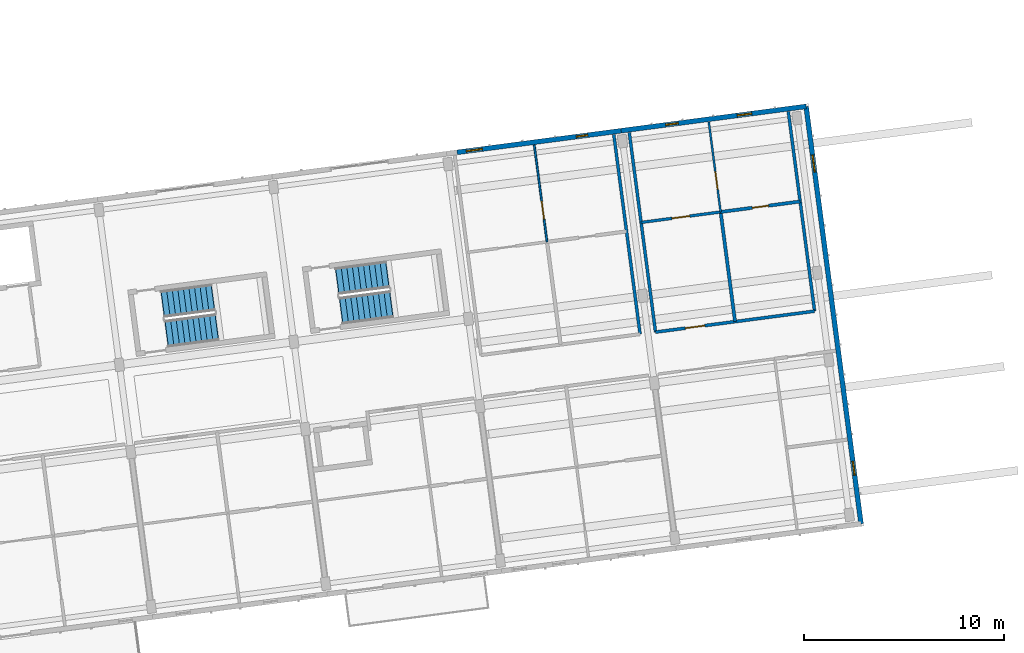
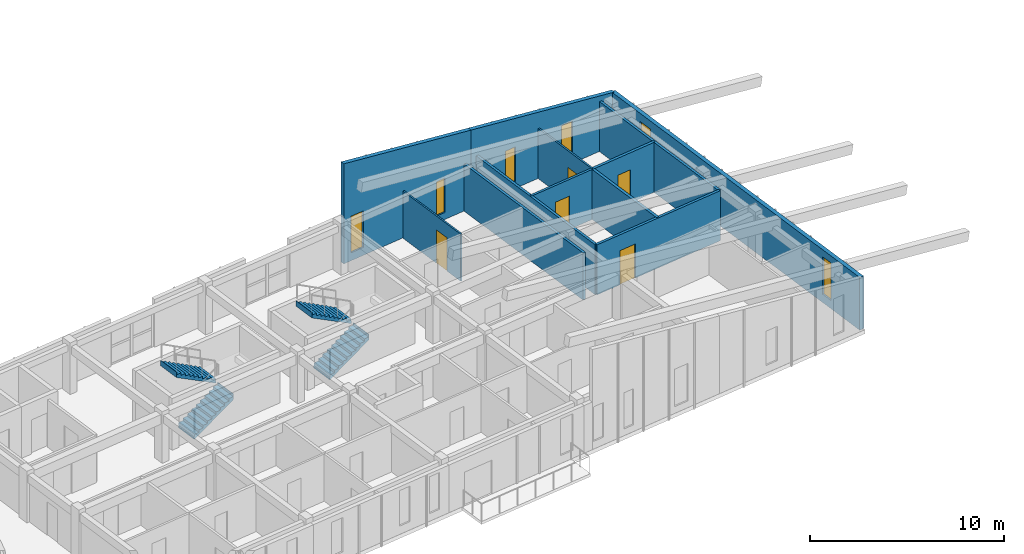
# One storey, part 9 of 16: 12 walls, 6 windows, 5 doors, 4 stair flights, 11 openings, 2 elements without a shape of their own.
"""IFC4 building model written with IfcOpenShell, lengths in metres."""

import ifcopenshell
import ifcopenshell.guid

model = None  # the IFC model being written
_history = None  # IfcOwnerHistory: only IFC2X3 demands one
_inside = {}  # id of a spatial element -> (the spatial element, [elements in it])
_under = {}  # id of a project, library or spatial element -> (it, [spatial elements below it])
_declared = {}  # id of a project -> (the project, [libraries it declares])
_typed = {}  # id of a type object -> (the type object, [elements of that type])
_made_of = {}  # id of a material, layer set ... -> (it, [elements and type objects made of it])


def new_model(schema):
    """Start an empty IFC model of exactly this schema.

    Asked for "IFC4X3", IfcOpenShell would pick the latest addendum, in which some entities
    have other attributes; the version numbers below select the first issue.
    IFC2X3 requires an IfcOwnerHistory on every rooted entity: one is made here for all.
    """
    global model, _history
    if schema == "IFC4X3":
        model = ifcopenshell.file(schema_version=(4, 3, 0, 0))
    else:
        model = ifcopenshell.file(schema=schema)
    _inside.clear()
    _under.clear()
    _declared.clear()
    _typed.clear()
    _made_of.clear()
    _history = None
    if model.schema == "IFC2X3":
        org = make("IfcOrganization", Name="unknown")
        user = make(
            "IfcPersonAndOrganization",
            ThePerson=make("IfcPerson", FamilyName="unknown"),
            TheOrganization=org,
        )
        app = make(
            "IfcApplication",
            ApplicationDeveloper=org,
            Version="unknown",
            ApplicationFullName="unknown",
            ApplicationIdentifier="unknown",
        )
        _history = make(
            "IfcOwnerHistory",
            OwningUser=user,
            OwningApplication=app,
            ChangeAction="ADDED",
            CreationDate=0,
        )
    return model


def make(cls, **values):
    """One entity of the class cls with the attributes given. An attribute that is None is left unset."""
    return model.create_entity(
        cls, **{name: value for name, value in values.items() if value is not None}
    )


def rooted(cls, **values):
    """An entity with a GlobalId (a new one), such as an element, a storey or a relation."""
    return make(cls, GlobalId=ifcopenshell.guid.new(), OwnerHistory=_history, **values)


def si_unit(unit_type, name, prefix=None):
    """IfcSIUnit, for example si_unit("LENGTHUNIT", "METRE", prefix="MILLI")."""
    return make("IfcSIUnit", UnitType=unit_type, Prefix=prefix, Name=name)


def assignment(units):
    """IfcUnitAssignment: the units of a project."""
    return None if units is None else make("IfcUnitAssignment", Units=units)


def point(xyz):
    """IfcCartesianPoint."""
    return None if xyz is None else make("IfcCartesianPoint", Coordinates=xyz)


def direction(xyz):
    """IfcDirection."""
    return None if xyz is None else make("IfcDirection", DirectionRatios=xyz)


def frame(location, z_axis=None, x_axis=None):
    """IfcAxis2Placement3D, a coordinate frame: its origin and axes. An axis left out is left unset."""
    return make(
        "IfcAxis2Placement3D",
        Location=point(location),
        Axis=direction(z_axis),
        RefDirection=direction(x_axis),
    )


def frame_2d(location, x_axis=None):
    """IfcAxis2Placement2D, a coordinate frame in the plane: its origin and x axis."""
    return make(
        "IfcAxis2Placement2D", Location=point(location), RefDirection=direction(x_axis)
    )


def origin():
    """The frame at (0, 0, 0) with its axes left unset."""
    return frame((0.0, 0.0, 0.0))


def place(relative_to, where):
    """IfcLocalPlacement: puts the frame where relative to a parent placement (None: the world)."""
    return make(
        "IfcLocalPlacement", PlacementRelTo=relative_to, RelativePlacement=where
    )


def context(
    kind, dimensions, precision=None, world=None, true_north=None, identifier=None
):
    """IfcGeometricRepresentationContext, for example the 3D "Model" context."""
    return make(
        "IfcGeometricRepresentationContext",
        ContextIdentifier=identifier,
        ContextType=kind,
        CoordinateSpaceDimension=dimensions,
        Precision=precision,
        WorldCoordinateSystem=world,
        TrueNorth=true_north,
    )


def subcontext(parent, identifier, kind, view, scale=None):
    """IfcGeometricRepresentationSubContext, for example "Body" below "Model"."""
    return make(
        "IfcGeometricRepresentationSubContext",
        ContextIdentifier=identifier,
        ContextType=kind,
        ParentContext=parent,
        TargetScale=scale,
        TargetView=view,
    )


def project(units=None, contexts=None):
    """IfcProject with its units and contexts."""
    return rooted(
        "IfcProject",
        Name="project",
        RepresentationContexts=contexts,
        UnitsInContext=assignment(units),
    )


def spatial(cls, under=None, at=None, **own):
    """A site, building, storey or space (cls), placed at a placement, below another one or the project."""
    s = rooted(cls, ObjectPlacement=at, **own)
    if under is not None:
        _under.setdefault(under.id(), (under, []))[1].append(s)
    return s


def polyline(points):
    """IfcPolyline through the points."""
    return make("IfcPolyline", Points=[point(p) for p in points])


def profile(cls, at=None, kind="AREA", **sizes):
    """A parametric profile (cls). Its sizes go by their IFC names, for example OverallWidth=200.0."""
    return make(cls, ProfileType=kind, Position=at, **sizes)


def rectangle(**sizes):
    """IfcRectangleProfileDef."""
    return profile("IfcRectangleProfileDef", **sizes)


def outline(outer, holes=None, kind="AREA"):
    """IfcArbitraryClosedProfileDef: a profile drawn as a closed curve; with holes, ...WithVoids."""
    if holes is None:
        return make("IfcArbitraryClosedProfileDef", ProfileType=kind, OuterCurve=outer)
    return make(
        "IfcArbitraryProfileDefWithVoids",
        ProfileType=kind,
        OuterCurve=outer,
        InnerCurves=holes,
    )


def extrude(swept, where, along, depth):
    """IfcExtrudedAreaSolid: the profile swept, set in the frame where, extruded along a direction by depth."""
    return make(
        "IfcExtrudedAreaSolid",
        SweptArea=swept,
        Position=where,
        ExtrudedDirection=direction(along),
        Depth=depth,
    )


def shape(context_of_items, identifier, shape_type, items):
    """IfcShapeRepresentation: the items that make up one representation, for example the "Body"."""
    return make(
        "IfcShapeRepresentation",
        ContextOfItems=context_of_items,
        RepresentationIdentifier=identifier,
        RepresentationType=shape_type,
        Items=items,
    )


def material(Name=None, Category=None):
    """IfcMaterial."""
    return make("IfcMaterial", Name=Name, Category=Category)


def layer(
    of_material, thickness, ventilated=None, Name=None, Category=None, Priority=None
):
    """IfcMaterialLayer: one layer of a wall or slab, of a material (None: an air gap)."""
    return make(
        "IfcMaterialLayer",
        Material=of_material,
        LayerThickness=thickness,
        IsVentilated=ventilated,
        Name=Name,
        Category=Category,
        Priority=Priority,
    )


def layer_set(layers, Name=None):
    """IfcMaterialLayerSet."""
    return make("IfcMaterialLayerSet", MaterialLayers=layers, LayerSetName=Name)


def made_of(thing, what):
    """Note that an element or type object is made of a material, layer set ...; save() writes the relation."""
    if what is not None:
        _made_of.setdefault(what.id(), (what, []))[1].append(thing)
    return thing


def type_object(cls, material=None, **own):
    """A type object (cls), such as IfcWallType, which elements share."""
    return made_of(rooted(cls, **own), material)


def element(
    cls,
    number,
    at=None,
    inside=None,
    cuts=None,
    type_object=None,
    material=None,
    context=None,
    identifier="Body",
    shape_type=None,
    held_by="IfcProductDefinitionShape",
    body=None,
    shapes=None,
    **own,
):
    """One element of the class cls, such as IfcWall. Its Tag is "e" and its number.

    at: its placement. inside: the storey or other place that contains it. cuts: it is an
    opening in that element (IfcRelVoidsElement). A single representation is given by context,
    identifier, shape_type and body (its items); several are given by shapes. held_by: the class
    of the entity that holds the representations. save() writes the other relations.
    """
    e = rooted(cls, Tag="e%d" % number, ObjectPlacement=at, **own)
    if body is not None:
        shapes = [shape(context, identifier, shape_type, body)]
    if shapes is not None:
        e.Representation = make(held_by, Representations=shapes)
    if inside is not None:
        _inside.setdefault(inside.id(), (inside, []))[1].append(e)
    if cuts is not None:
        rooted(
            "IfcRelVoidsElement", RelatingBuildingElement=cuts, RelatedOpeningElement=e
        )
    if type_object is not None:
        _typed.setdefault(type_object.id(), (type_object, []))[1].append(e)
    return made_of(e, material)


def fill(opening, filler):
    """IfcRelFillsElement: the door or window that sits in an opening."""
    return rooted(
        "IfcRelFillsElement",
        RelatingOpeningElement=opening,
        RelatedBuildingElement=filler,
    )


def aggregate(whole, parts):
    """IfcRelAggregates: a whole, such as a stair, and the parts it consists of."""
    return rooted("IfcRelAggregates", RelatingObject=whole, RelatedObjects=parts)


def save(model, path):
    """Write the relations noted so far, then the file.

    IfcRelAggregates (storeys below a building ...), IfcRelContainedInSpatialStructure (elements
    in a storey), IfcRelDefinesByType, IfcRelAssociatesMaterial and IfcRelDeclares: one each for
    every whole, place, type object, material and project.
    """
    for whole, parts in _under.values():
        aggregate(whole, parts)
    for where, things in _inside.values():
        rooted(
            "IfcRelContainedInSpatialStructure",
            RelatedElements=things,
            RelatingStructure=where,
        )
    for kind, things in _typed.values():
        rooted("IfcRelDefinesByType", RelatedObjects=things, RelatingType=kind)
    for what, things in _made_of.values():
        rooted("IfcRelAssociatesMaterial", RelatedObjects=things, RelatingMaterial=what)
    for by, libraries in _declared.values():
        rooted("IfcRelDeclares", RelatingContext=by, RelatedDefinitions=libraries)
    model.write(path)


model = new_model("IFC4")

# Units and contexts
model_context = context("Model", 3, precision=1e-05, world=origin(), true_north=direction((0.0, 1.0)))
body_context = subcontext(model_context, "Body", "Model", "MODEL_VIEW")
ifc_project = project(units=[si_unit("LENGTHUNIT", "METRE"), si_unit("AREAUNIT", "SQUARE_METRE"), si_unit("VOLUMEUNIT", "CUBIC_METRE"), si_unit("PLANEANGLEUNIT", "RADIAN"), si_unit("MASSUNIT", "GRAM", prefix="KILO")], contexts=[model_context])

# Site, building, storey
site_placement = place(None, origin())
site = spatial("IfcSite", under=ifc_project, at=site_placement, CompositionType="ELEMENT")
building_placement = place(site_placement, origin())
building = spatial("IfcBuilding", under=site, at=building_placement, Name="Kestramere Prow Commons", CompositionType="ELEMENT")
storey_placement = place(building_placement, frame((0.0, 0.0, 40.89990234375)))
storey = spatial("IfcBuildingStorey", under=building, at=storey_placement, Name="L12", CompositionType="ELEMENT", Elevation=40.89990234375)

# Wall, openings, windows
ifc_material_1 = material(Name="Fluoropolymer Standing-Seam Zinc-Aluminium Cladding", Category="aluminium")
ifc_layer_1 = layer(ifc_material_1, 0.239990234375)
ifc_layer_set_1 = layer_set([ifc_layer_1], Name="Fluoropolymer Standing-Seam Zinc-Aluminium Cladding")
wall_type_1 = type_object("IfcWallType", Name="EW-SEAM-240", PredefinedType="SOLIDWALL", material=ifc_layer_set_1)
wall_1_placement = place(storey_placement, frame((35.215576171875, 95.86376953125, 0.0), z_axis=(0.0, 0.0, 1.0), x_axis=(0.991445556921, 0.130520908907, 0.0)))
wall_1 = element("IfcWall", 1, at=wall_1_placement, inside=storey, type_object=wall_type_1, Name="Block A L12 North Standing-Seam Wall 4", PredefinedType="SOLIDWALL", context=body_context, shape_type="SweptSolid", body=[
    extrude(outline(polyline([(0.0, 0.0), (8.275146484375, 0.0), (8.27490234375, 4.900634765625), (0.0, 6.301025390625), (0.0, 0.0)])), frame((0.0, 0.1201171875, 0.0), z_axis=(0.0, -1.0, 0.0), x_axis=(1.0, 0.0, 0.0)), (0.0, 0.0, 1.0), 0.239990234375),
])
opening_1_placement = place(wall_1_placement, frame((0.4638671875, 0.0, 0.5)))
opening_1 = element("IfcOpeningElement", 2, at=opening_1_placement, cuts=wall_1, Name="Opening WN-12", PredefinedType="OPENING", context=body_context, shape_type="SweptSolid", body=[
    extrude(rectangle(XDim=0.800048828125, YDim=2.300048828125, at=frame_2d((0.39990234375, 1.14990234375))), frame((0.0, 0.135009765625, 0.0), z_axis=(0.0, -1.0, 0.0), x_axis=(1.0, 0.0, 0.0)), (0.0, 0.0, 1.0), 0.27001953125),
])
opening_2_placement = place(wall_1_placement, frame((6.012939453125, 0.0, 0.43994140625)))
opening_2 = element("IfcOpeningElement", 3, at=opening_2_placement, cuts=wall_1, Name="Opening WN-01", PredefinedType="OPENING", context=body_context, shape_type="SweptSolid", body=[
    extrude(rectangle(XDim=0.580078125, YDim=2.159912109375, at=frame_2d((0.2900390625, 1.080078125))), frame((0.0, 0.135009765625, 0.0), z_axis=(0.0, -1.0, 0.0), x_axis=(1.0, 0.0, 0.0)), (0.0, 0.0, 1.0), 0.27001953125),
])
ifc_material_2 = material(Name="Low-E Laminated Double Glazing", Category="glass")
window_type_1 = type_object("IfcWindowType", Name="WN-NAR-580A", PartitioningType="SINGLE_PANEL", PredefinedType="WINDOW", material=ifc_material_2)
window_1_placement = place(opening_2_placement, origin())
window_1 = element("IfcWindow", 4, at=window_1_placement, inside=storey, type_object=window_type_1, Name="WN-A-L12-N-3-1", OverallHeight=2.159912109375, OverallWidth=0.580078125, PartitioningType="SINGLE_PANEL", PredefinedType="WINDOW", context=body_context, shape_type="SweptSolid", body=[
    extrude(rectangle(XDim=0.580078125, YDim=2.159912109375, at=frame_2d((0.2900390625, 1.080078125))), frame((0.0, 0.030029296875, 0.0), z_axis=(0.0, -1.0, 0.0), x_axis=(1.0, 0.0, 0.0)), (0.0, 0.0, 1.0), 0.06005859375),
])
fill(opening_2, window_1)
window_type_2 = type_object("IfcWindowType", Name="WN-NAR-800A", PartitioningType="SINGLE_PANEL", PredefinedType="WINDOW", material=ifc_material_2)
window_2_placement = place(opening_1_placement, origin())
window_2 = element("IfcWindow", 5, at=window_2_placement, inside=storey, type_object=window_type_2, Name="WN-A-L12-N-3-0", OverallHeight=2.300048828125, OverallWidth=0.800048828125, PartitioningType="SINGLE_PANEL", PredefinedType="WINDOW", context=body_context, shape_type="SweptSolid", body=[
    extrude(rectangle(XDim=0.800048828125, YDim=2.300048828125, at=frame_2d((0.39990234375, 1.14990234375))), frame((0.0, 0.030029296875, 0.0), z_axis=(0.0, -1.0, 0.0), x_axis=(1.0, 0.0, 0.0)), (0.0, 0.0, 1.0), 0.06005859375),
])
fill(opening_1, window_2)

wall_2_placement = place(storey_placement, frame((43.419921875, 96.94384765625, 0.0), z_axis=(0.0, 0.0, 1.0), x_axis=(0.991442885224, 0.130541201693, 0.0)))
wall_2 = element("IfcWall", 6, at=wall_2_placement, inside=storey, type_object=wall_type_1, Name="Block A L12 North Standing-Seam Wall 5", PredefinedType="SOLIDWALL", context=body_context, shape_type="SweptSolid", body=[
    extrude(outline(polyline([(0.0, 0.0), (9.324951171875, 0.0), (9.324951171875, 3.322509765625), (0.0, 4.900634765625), (0.0, 0.0)])), frame((0.0, 0.1201171875, 0.0), z_axis=(0.0, -1.0, 0.0), x_axis=(1.0, 0.0, 0.0)), (0.0, 0.0, 1.0), 0.239990234375),
])
opening_3_placement = place(wall_2_placement, frame((2.2412109375, 0.0, 0.43994140625)))
opening_3 = element("IfcOpeningElement", 7, at=opening_3_placement, cuts=wall_2, Name="Opening WN-04", PredefinedType="OPENING", context=body_context, shape_type="SweptSolid", body=[
    extrude(rectangle(XDim=0.639892578125, YDim=2.179931640625, at=frame_2d((0.31982421875, 1.08984375))), frame((0.0, 0.135009765625, 0.0), z_axis=(0.0, -1.0, 0.0), x_axis=(1.0, 0.0, 0.0)), (0.0, 0.0, 1.0), 0.27001953125),
])
opening_4_placement = place(wall_2_placement, frame((5.86083984375, 0.0, 0.5)))
opening_4 = element("IfcOpeningElement", 8, at=opening_4_placement, cuts=wall_2, Name="Opening WN-08", PredefinedType="OPENING", context=body_context, shape_type="SweptSolid", body=[
    extrude(rectangle(XDim=0.719970703125, YDim=2.159912109375, at=frame_2d((0.35986328125, 1.080078125))), frame((0.0, 0.135009765625, 0.0), z_axis=(0.0, -1.0, 0.0), x_axis=(1.0, 0.0, 0.0)), (0.0, 0.0, 1.0), 0.27001953125),
])
window_type_3 = type_object("IfcWindowType", Name="WN-NAR-640A", PartitioningType="SINGLE_PANEL", PredefinedType="WINDOW", material=ifc_material_2)
window_3_placement = place(opening_3_placement, origin())
window_3 = element("IfcWindow", 9, at=window_3_placement, inside=storey, type_object=window_type_3, Name="WN-A-L12-N-4-0", OverallHeight=2.179931640625, OverallWidth=0.639892578125, PartitioningType="SINGLE_PANEL", PredefinedType="WINDOW", context=body_context, shape_type="SweptSolid", body=[
    extrude(rectangle(XDim=0.639892578125, YDim=2.179931640625, at=frame_2d((0.31982421875, 1.08984375))), frame((0.0, 0.030029296875, 0.0), z_axis=(0.0, -1.0, 0.0), x_axis=(1.0, 0.0, 0.0)), (0.0, 0.0, 1.0), 0.06005859375),
])
fill(opening_3, window_3)
window_type_4 = type_object("IfcWindowType", Name="WN-NAR-720A", PartitioningType="SINGLE_PANEL", PredefinedType="WINDOW", material=ifc_material_2)
window_4_placement = place(opening_4_placement, origin())
window_4 = element("IfcWindow", 10, at=window_4_placement, inside=storey, type_object=window_type_4, Name="WN-A-L12-N-4-1", OverallHeight=2.159912109375, OverallWidth=0.719970703125, PartitioningType="SINGLE_PANEL", PredefinedType="WINDOW", context=body_context, shape_type="SweptSolid", body=[
    extrude(rectangle(XDim=0.719970703125, YDim=2.159912109375, at=frame_2d((0.35986328125, 1.080078125))), frame((0.0, 0.030029296875, 0.0), z_axis=(0.0, -1.0, 0.0), x_axis=(1.0, 0.0, 0.0)), (0.0, 0.0, 1.0), 0.06005859375),
])
fill(opening_4, window_4)

wall_3_placement = place(storey_placement, frame((52.6650390625, 98.1611328125, 0.0), z_axis=(0.0, 0.0, 1.0), x_axis=(0.130525617048, -0.991444937097, 0.0)))
wall_3 = element("IfcWall", 11, at=wall_3_placement, inside=storey, type_object=wall_type_1, Name="Block A L12 EAV Facet Wall", PredefinedType="SOLIDWALL", context=body_context, shape_type="SweptSolid", body=[
    extrude(rectangle(XDim=21.050048828125, YDim=0.239990234375, at=frame_2d((10.52490234375, 0.0))), origin(), (0.0, 0.0, 1.0), 3.322509765625),
])
opening_5_placement = place(wall_3_placement, frame((2.449951171875, 0.0, 0.449951171875)))
opening_5 = element("IfcOpeningElement", 12, at=opening_5_placement, cuts=wall_3, Name="Opening WN-15", PredefinedType="OPENING", context=body_context, shape_type="SweptSolid", body=[
    extrude(rectangle(XDim=0.860107421875, YDim=2.360107421875, at=frame_2d((0.43017578125, 1.18017578125))), frame((0.0, 0.135009765625, 0.0), z_axis=(0.0, -1.0, 0.0), x_axis=(1.0, 0.0, 0.0)), (0.0, 0.0, 1.0), 0.27001953125),
])
opening_6_placement = place(wall_3_placement, frame((17.89990234375, 0.0, 0.52001953125)))
opening_6 = element("IfcOpeningElement", 13, at=opening_6_placement, cuts=wall_3, Name="Opening WN-07", PredefinedType="OPENING", context=body_context, shape_type="SweptSolid", body=[
    extrude(rectangle(XDim=0.699951171875, YDim=2.360107421875, at=frame_2d((0.35009765625, 1.18017578125))), frame((0.0, 0.135009765625, 0.0), z_axis=(0.0, -1.0, 0.0), x_axis=(1.0, 0.0, 0.0)), (0.0, 0.0, 1.0), 0.27001953125),
])
window_type_5 = type_object("IfcWindowType", Name="WN-NAR-700A", PartitioningType="SINGLE_PANEL", PredefinedType="WINDOW", material=ifc_material_2)
window_5_placement = place(opening_6_placement, origin())
window_5 = element("IfcWindow", 14, at=window_5_placement, inside=storey, type_object=window_type_5, Name="WN-A-L12-EAV-1", OverallHeight=2.360107421875, OverallWidth=0.699951171875, PartitioningType="SINGLE_PANEL", PredefinedType="WINDOW", context=body_context, shape_type="SweptSolid", body=[
    extrude(rectangle(XDim=0.699951171875, YDim=2.360107421875, at=frame_2d((0.35009765625, 1.18017578125))), frame((0.0, 0.030029296875, 0.0), z_axis=(0.0, -1.0, 0.0), x_axis=(1.0, 0.0, 0.0)), (0.0, 0.0, 1.0), 0.06005859375),
])
fill(opening_6, window_5)
window_type_6 = type_object("IfcWindowType", Name="WN-NAR-860A", PartitioningType="DOUBLE_PANEL_VERTICAL", PredefinedType="WINDOW", material=ifc_material_2)
window_6_placement = place(opening_5_placement, origin())
window_6 = element("IfcWindow", 15, at=window_6_placement, inside=storey, type_object=window_type_6, Name="WN-A-L12-EAV-0", OverallHeight=2.360107421875, OverallWidth=0.860107421875, PartitioningType="SINGLE_PANEL", PredefinedType="WINDOW", context=body_context, shape_type="SweptSolid", body=[
    extrude(rectangle(XDim=0.860107421875, YDim=2.360107421875, at=frame_2d((0.43017578125, 1.18017578125))), frame((0.0, 0.030029296875, 0.0), z_axis=(0.0, -1.0, 0.0), x_axis=(1.0, 0.0, 0.0)), (0.0, 0.0, 1.0), 0.06005859375),
])
fill(opening_5, window_6)

# Wall, opening, door
ifc_material_3 = material(Name="Fire-Rated Calcium Silicate Wall")
ifc_layer_2 = layer(ifc_material_3, 0.155029296875)
ifc_layer_set_2 = layer_set([ifc_layer_2], Name="Fire-Rated Calcium Silicate Wall")
wall_type_2 = type_object("IfcWallType", Name="W-FIRE-150", PredefinedType="PARTITIONING", material=ifc_layer_set_2)
wall_4_placement = place(storey_placement, frame((45.138427734375, 86.877197265625, 0.0), z_axis=(0.0, 0.0, 1.0), x_axis=(0.991444034844, 0.130532470184, 0.0)))
wall_4 = element("IfcWall", 16, at=wall_4_placement, inside=storey, type_object=wall_type_2, Name="Interior Partition PW-A-L12-CN-4", PredefinedType="PARTITIONING", context=body_context, shape_type="SweptSolid", body=[
    extrude(rectangle(XDim=8.02001953125, YDim=0.155029296875, at=frame_2d((4.010009765625, 0.0))), origin(), (0.0, 0.0, 1.0), 3.150146484375),
])
opening_7_placement = place(wall_4_placement, frame((1.5048828125, 0.0, 0.0)))
opening_7 = element("IfcOpeningElement", 17, at=opening_7_placement, cuts=wall_4, Name="Opening ID-04", PredefinedType="OPENING", context=body_context, shape_type="SweptSolid", body=[
    extrude(rectangle(XDim=0.97998046875, YDim=2.14990234375, at=frame_2d((0.489990234375, 1.074951171875))), frame((0.0, 0.092529296875, 0.0), z_axis=(0.0, -1.0, 0.0), x_axis=(1.0, 0.0, 0.0)), (0.0, 0.0, 1.0), 0.18505859375),
])
ifc_material_4 = material(Name="Hardwood Fire-Rated Flat Entrance Door", Category="wood")
door_type_1 = type_object("IfcDoorType", Name="FD-ENT-01", OperationType="NOTDEFINED", PredefinedType="DOOR", material=ifc_material_4)
door_1_placement = place(opening_7_placement, origin())
door_1 = element("IfcDoor", 18, at=door_1_placement, inside=storey, type_object=door_type_1, Name="Interior Door DR-A-L12-ENT-N4", OperationType="SINGLE_SWING_LEFT", OverallHeight=2.14990234375, OverallWidth=0.97998046875, PredefinedType="DOOR", context=body_context, shape_type="SweptSolid", body=[
    extrude(rectangle(XDim=0.97998046875, YDim=2.14990234375, at=frame_2d((0.489990234375, 1.074951171875))), frame((0.0, 0.02490234375, 0.0), z_axis=(0.0, -1.0, 0.0), x_axis=(1.0, 0.0, 0.0)), (0.0, 0.0, 1.0), 0.050048828125),
])
fill(opening_7, door_1)

ifc_material_5 = material(Name="Gypsum Acoustic Drywall")
ifc_layer_3 = layer(ifc_material_5, 0.10009765625)
ifc_layer_set_3 = layer_set([ifc_layer_3], Name="Gypsum Acoustic Drywall")
wall_type_3 = type_object("IfcWallType", Name="W-PART-100", PredefinedType="PARTITIONING", material=ifc_layer_set_3)
wall_5_placement = place(storey_placement, frame((48.392333984375, 92.88330078125, 0.0), z_axis=(0.0, 0.0, 1.0), x_axis=(-0.130518503748, 0.99144587355, 0.0)))
wall_5 = element("IfcWall", 19, at=wall_5_placement, inside=storey, type_object=wall_type_3, Name="Interior Partition PW-A-L12-LB-N4", PredefinedType="PARTITIONING", context=body_context, shape_type="SweptSolid", body=[
    extrude(rectangle(XDim=4.539794921875, YDim=0.10009765625, at=frame_2d((2.27001953125, 0.0))), origin(), (0.0, 0.0, 1.0), 3.150146484375),
])
opening_8_placement = place(wall_5_placement, frame((1.14990234375, 0.0, 0.0)))
opening_8 = element("IfcOpeningElement", 20, at=opening_8_placement, cuts=wall_5, Name="Opening ID-10", PredefinedType="OPENING", context=body_context, shape_type="SweptSolid", body=[
    extrude(rectangle(XDim=0.8798828125, YDim=2.10009765625, at=frame_2d((0.43994140625, 1.050048828125))), frame((0.0, 0.06494140625, 0.0), z_axis=(0.0, -1.0, 0.0), x_axis=(1.0, 0.0, 0.0)), (0.0, 0.0, 1.0), 0.130126953125),
])
ifc_material_6 = material(Name="Engineered Timber Bedroom Door", Category="wood")
door_type_2 = type_object("IfcDoorType", Name="D-RM-03", OperationType="NOTDEFINED", PredefinedType="DOOR", material=ifc_material_6)
door_2_placement = place(opening_8_placement, origin())
door_2 = element("IfcDoor", 21, at=door_2_placement, inside=storey, type_object=door_type_2, Name="Interior Door DR-A-L12-BED-N4", OperationType="SINGLE_SWING_LEFT", OverallHeight=2.10009765625, OverallWidth=0.8798828125, PredefinedType="DOOR", context=body_context, shape_type="SweptSolid", body=[
    extrude(rectangle(XDim=0.8798828125, YDim=2.10009765625, at=frame_2d((0.43994140625, 1.050048828125))), frame((0.0, 0.02490234375, 0.0), z_axis=(0.0, -1.0, 0.0), x_axis=(1.0, 0.0, 0.0)), (0.0, 0.0, 1.0), 0.050048828125),
])
fill(opening_8, door_2)

ifc_material_7 = material(Name="Masonry Compartment Wall", Category="masonry")
ifc_layer_4 = layer(ifc_material_7, 0.139892578125)
ifc_layer_set_4 = layer_set([ifc_layer_4], Name="Masonry Compartment Wall")
wall_type_4 = type_object("IfcWallType", Name="W-PART-140", PredefinedType="PARTITIONING", material=ifc_layer_set_4)
wall_6_placement = place(storey_placement, frame((44.416748046875, 92.35986328125, 0.0), z_axis=(0.0, 0.0, 1.0), x_axis=(0.991443516139, 0.130536409887, 0.0)))
wall_6 = element("IfcWall", 22, at=wall_6_placement, inside=storey, type_object=wall_type_4, Name="Interior Partition PW-A-L12-MIDN1-4", PredefinedType="PARTITIONING", context=body_context, shape_type="SweptSolid", body=[
    extrude(rectangle(XDim=4.010009765625, YDim=0.139892578125, at=frame_2d((2.0048828125, 0.0))), origin(), (0.0, 0.0, 1.0), 3.150146484375),
])
opening_9_placement = place(wall_6_placement, frame((1.554931640625, 0.0, 0.0)))
opening_9 = element("IfcOpeningElement", 23, at=opening_9_placement, cuts=wall_6, Name="Opening ID-08", PredefinedType="OPENING", context=body_context, shape_type="SweptSolid", body=[
    extrude(rectangle(XDim=0.89990234375, YDim=2.10009765625, at=frame_2d((0.449951171875, 1.050048828125))), frame((0.0, 0.0849609375, 0.0), z_axis=(0.0, -1.0, 0.0), x_axis=(1.0, 0.0, 0.0)), (0.0, 0.0, 1.0), 0.169921875),
])
ifc_material_8 = material(Name="Engineered Timber Flush Door", Category="wood")
door_type_3 = type_object("IfcDoorType", Name="D-RM-01", OperationType="NOTDEFINED", PredefinedType="DOOR", material=ifc_material_8)
door_3_placement = place(opening_9_placement, origin())
door_3 = element("IfcDoor", 24, at=door_3_placement, inside=storey, type_object=door_type_3, Name="Interior Door DR-A-L12-KL-N4", OperationType="SINGLE_SWING_LEFT", OverallHeight=2.10009765625, OverallWidth=0.89990234375, PredefinedType="DOOR", context=body_context, shape_type="SweptSolid", body=[
    extrude(rectangle(XDim=0.89990234375, YDim=2.10009765625, at=frame_2d((0.449951171875, 1.050048828125))), frame((0.0, 0.02490234375, 0.0), z_axis=(0.0, -1.0, 0.0), x_axis=(1.0, 0.0, 0.0)), (0.0, 0.0, 1.0), 0.050048828125),
])
fill(opening_9, door_3)

# Walls
ifc_layer_5 = layer(ifc_material_7, 0.14990234375)
ifc_layer_set_5 = layer_set([ifc_layer_5], Name="Masonry Compartment Wall")
wall_type_5 = type_object("IfcWallType", Name="W-PART-150", PredefinedType="PARTITIONING", material=ifc_layer_set_5)
wall_7_placement = place(storey_placement, frame((44.365234375, 86.775390625, 0.0), z_axis=(0.0, 0.0, 1.0), x_axis=(-0.130531024319, 0.991444225204, 0.0)))
element("IfcWall", 25, at=wall_7_placement, inside=storey, type_object=wall_type_5, Name="Interior Partition PW-A-L12-NWR-3", PredefinedType="PARTITIONING", context=body_context, shape_type="SweptSolid", body=[
    extrude(rectangle(XDim=10.070068359375, YDim=0.14990234375, at=frame_2d((5.03515625, 0.0))), origin(), (0.0, 0.0, 1.0), 2.97021484375),
])
wall_8_placement = place(storey_placement, frame((45.138427734375, 86.877197265625, 0.0), z_axis=(0.0, 0.0, 1.0), x_axis=(-0.130531024319, 0.991444225204, 0.0)))
element("IfcWall", 26, at=wall_8_placement, inside=storey, type_object=wall_type_5, Name="Interior Partition PW-A-L12-NWL-4", PredefinedType="PARTITIONING", context=body_context, shape_type="SweptSolid", body=[
    extrude(rectangle(XDim=10.070068359375, YDim=0.14990234375, at=frame_2d((5.03515625, 0.0))), origin(), (0.0, 0.0, 1.0), 3.150146484375),
])
wall_9_placement = place(storey_placement, frame((53.08984375, 87.924072265625, 0.0), z_axis=(0.0, 0.0, 1.0), x_axis=(-0.130534161944, 0.991443812107, 0.0)))
element("IfcWall", 27, at=wall_9_placement, inside=storey, type_object=wall_type_5, Name="Interior Partition PW-A-L12-NWR-4", PredefinedType="PARTITIONING", context=body_context, shape_type="SweptSolid", body=[
    extrude(rectangle(XDim=10.06982421875, YDim=0.14990234375, at=frame_2d((5.034912109375, 0.0))), origin(), (0.0, 0.0, 1.0), 3.150146484375),
])

# Wall, opening, door
ifc_layer_6 = layer(ifc_material_5, 0.094970703125)
ifc_layer_set_6 = layer_set([ifc_layer_6], Name="Gypsum Acoustic Drywall")
wall_type_6 = type_object("IfcWallType", Name="W-PART-95", PredefinedType="PARTITIONING", material=ifc_layer_set_6)
wall_10_placement = place(storey_placement, frame((39.71337890625, 91.3876953125, 0.0), z_axis=(0.0, 0.0, 1.0), x_axis=(-0.130557831536, 0.991440695465, 0.0)))
wall_10 = element("IfcWall", 28, at=wall_10_placement, inside=storey, type_object=wall_type_6, Name="Interior Partition PW-A-L12-LB-N3", PredefinedType="PARTITIONING", context=body_context, shape_type="SweptSolid", body=[
    extrude(rectangle(XDim=4.889892578125, YDim=0.094970703125, at=frame_2d((2.44482421875, 0.0))), origin(), (0.0, 0.0, 1.0), 2.97021484375),
])
opening_10_placement = place(wall_10_placement, frame((1.14990234375, 0.0, 0.0)))
opening_10 = element("IfcOpeningElement", 29, at=opening_10_placement, cuts=wall_10, Name="Opening ID-08", PredefinedType="OPENING", context=body_context, shape_type="SweptSolid", body=[
    extrude(rectangle(XDim=0.89990234375, YDim=2.10009765625, at=frame_2d((0.449951171875, 1.050048828125))), frame((0.0, 0.0625, 0.0), z_axis=(0.0, -1.0, 0.0), x_axis=(1.0, 0.0, 0.0)), (0.0, 0.0, 1.0), 0.125),
])
door_4_placement = place(opening_10_placement, origin())
door_4 = element("IfcDoor", 30, at=door_4_placement, inside=storey, type_object=door_type_3, Name="Interior Door DR-A-L12-BED-N3", OperationType="SINGLE_SWING_LEFT", OverallHeight=2.10009765625, OverallWidth=0.89990234375, PredefinedType="DOOR", context=body_context, shape_type="SweptSolid", body=[
    extrude(rectangle(XDim=0.89990234375, YDim=2.10009765625, at=frame_2d((0.449951171875, 1.050048828125))), frame((0.0, 0.02490234375, 0.0), z_axis=(0.0, -1.0, 0.0), x_axis=(1.0, 0.0, 0.0)), (0.0, 0.0, 1.0), 0.050048828125),
])
fill(opening_10, door_4)

ifc_material_9 = material(Name="Waterproof Sanitary Masonry Wall", Category="masonry")
ifc_layer_7 = layer(ifc_material_9, 0.1650390625)
ifc_layer_set_7 = layer_set([ifc_layer_7], Name="Waterproof Sanitary Masonry Wall")
wall_type_7 = type_object("IfcWallType", Name="W-PLUMB-150", PredefinedType="PLUMBINGWALL", material=ifc_layer_set_7)
wall_11_placement = place(storey_placement, frame((48.392333984375, 92.88330078125, 0.0), z_axis=(0.0, 0.0, 1.0), x_axis=(0.991444553502, 0.130528530716, 0.0)))
wall_11 = element("IfcWall", 31, at=wall_11_placement, inside=storey, type_object=wall_type_7, Name="Interior Partition PW-A-L12-MIDN2-4", PredefinedType="PLUMBINGWALL", context=body_context, shape_type="SweptSolid", body=[
    extrude(rectangle(XDim=4.01025390625, YDim=0.1650390625, at=frame_2d((2.005126953125, 0.0))), origin(), (0.0, 0.0, 1.0), 3.150146484375),
])
opening_11_placement = place(wall_11_placement, frame((1.594970703125, 0.0, 0.0)))
opening_11 = element("IfcOpeningElement", 32, at=opening_11_placement, cuts=wall_11, Name="Opening ID-11", PredefinedType="OPENING", context=body_context, shape_type="SweptSolid", body=[
    extrude(rectangle(XDim=0.820068359375, YDim=2.080078125, at=frame_2d((0.41015625, 1.0400390625))), frame((0.0, 0.097412109375, 0.0), z_axis=(0.0, -1.0, 0.0), x_axis=(1.0, 0.0, 0.0)), (0.0, 0.0, 1.0), 0.195068359375),
])
ifc_material_10 = material(Name="Moisture-Resistant Timber Bathroom Door", Category="wood")
door_type_4 = type_object("IfcDoorType", Name="D-BT-01", OperationType="NOTDEFINED", PredefinedType="DOOR", material=ifc_material_10)
door_5_placement = place(opening_11_placement, origin())
door_5 = element("IfcDoor", 33, at=door_5_placement, inside=storey, type_object=door_type_4, Name="Interior Door DR-A-L12-BTH-N4", OperationType="SINGLE_SWING_RIGHT", OverallHeight=2.080078125, OverallWidth=0.820068359375, PredefinedType="DOOR", context=body_context, shape_type="SweptSolid", body=[
    extrude(rectangle(XDim=0.820068359375, YDim=2.080078125, at=frame_2d((0.41015625, 1.0400390625))), frame((0.0, 0.02490234375, 0.0), z_axis=(0.0, -1.0, 0.0), x_axis=(1.0, 0.0, 0.0)), (0.0, 0.0, 1.0), 0.050048828125),
])
fill(opening_11, door_5)

# Wall
wall_12_placement = place(storey_placement, frame((49.1142578125, 87.400634765625, 0.0), z_axis=(0.0, 0.0, 1.0), x_axis=(-0.130547016415, 0.991442119594, 0.0)))
element("IfcWall", 34, at=wall_12_placement, inside=storey, type_object=wall_type_7, Name="Interior Partition PW-A-L12-KB-N4", PredefinedType="PLUMBINGWALL", context=body_context, shape_type="SweptSolid", body=[
    extrude(rectangle(XDim=5.530029296875, YDim=0.1650390625, at=frame_2d((2.76513671875, 0.0))), origin(), (0.0, 0.0, 1.0), 3.150146484375),
])

# Stair, stair flights
ifc_material_11 = material(Name="Concrete C40/50", Category="concrete")
stair_type = type_object("IfcStairType", Name="ST-DOG-1350", PredefinedType="HALF_TURN_STAIR", material=ifc_material_11)
stair_1_placement = place(storey_placement, origin())
stair_1 = element("IfcStair", 35, at=stair_1_placement, inside=storey, type_object=stair_type, Name="L12 Block A Exit Stair 1", PredefinedType="HALF_TURN_STAIR")
stair_flight_type = type_object("IfcStairFlightType", Name="SFL-1350", PredefinedType="STRAIGHT", material=ifc_material_11)
stair_flight_1_placement = place(storey_placement, frame((20.70068359375, 86.79150390625, 0.0), z_axis=(0.0, 0.0, 1.0), x_axis=(0.991444861374, 0.13052619222, 0.0)))
stair_flight_1 = element("IfcStairFlight", 36, at=stair_flight_1_placement, type_object=stair_flight_type, Name="ST-A1 flight 1", NumberOfRisers=10, NumberOfTreads=9, PredefinedType="STRAIGHT", RiserHeight=0.1625, TreadLength=0.28, context=body_context, shape_type="SweptSolid", body=[
    extrude(outline(polyline([(-0.02490234375, 0.0), (0.0, 0.0), (0.0, 0.16259765625), (0.280029296875, 0.16259765625), (0.280029296875, 0.324951171875), (0.56005859375, 0.324951171875), (0.56005859375, 0.487548828125), (0.840087890625, 0.487548828125), (0.840087890625, 0.64990234375), (1.1201171875, 0.64990234375), (1.1201171875, 0.8125), (1.39990234375, 0.8125), (1.39990234375, 0.97509765625), (1.679931640625, 0.97509765625), (1.679931640625, 1.137451171875), (1.9599609375, 1.137451171875), (1.9599609375, 1.300048828125), (2.239990234375, 1.300048828125), (2.239990234375, 1.46240234375), (2.52001953125, 1.46240234375), (2.52001953125, 1.625), (2.544921875, 1.625), (2.544921875, 1.2890625), (0.0, -0.14990234375), (-0.02490234375, -0.14990234375), (-0.02490234375, 0.0)])), frame((0.0, 0.675048828125, 0.0), z_axis=(0.0, -1.0, 0.0), x_axis=(1.0, 0.0, 0.0)), (0.0, 0.0, 1.0), 1.35009765625),
])
stair_flight_2_placement = place(storey_placement, frame((23.003173828125, 88.607666015625, 1.625), z_axis=(0.0, 0.0, 1.0), x_axis=(-0.991444861374, -0.13052619222, 0.0)))
stair_flight_2 = element("IfcStairFlight", 37, at=stair_flight_2_placement, type_object=stair_flight_type, Name="ST-A1 flight 2", NumberOfRisers=10, NumberOfTreads=9, PredefinedType="STRAIGHT", RiserHeight=0.1625, TreadLength=0.28, context=body_context, shape_type="SweptSolid", body=[
    extrude(outline(polyline([(-0.02490234375, 0.0), (0.0, 0.0), (0.0, 0.16259765625), (0.280029296875, 0.16259765625), (0.280029296875, 0.324951171875), (0.56005859375, 0.324951171875), (0.56005859375, 0.487548828125), (0.840087890625, 0.487548828125), (0.840087890625, 0.64990234375), (1.1201171875, 0.64990234375), (1.1201171875, 0.8125), (1.39990234375, 0.8125), (1.39990234375, 0.97509765625), (1.679931640625, 0.97509765625), (1.679931640625, 1.137451171875), (1.9599609375, 1.137451171875), (1.9599609375, 1.300048828125), (2.239990234375, 1.300048828125), (2.239990234375, 1.46240234375), (2.52001953125, 1.46240234375), (2.52001953125, 1.625), (2.544921875, 1.625), (2.544921875, 1.2890625), (0.0, -0.14990234375), (-0.02490234375, -0.14990234375), (-0.02490234375, 0.0)])), frame((0.0, 0.675048828125, 0.0), z_axis=(0.0, -1.0, 0.0), x_axis=(1.0, 0.0, 0.0)), (0.0, 0.0, 1.0), 1.35009765625),
])
aggregate(stair_1, [stair_flight_1, stair_flight_2])

stair_2_placement = place(storey_placement, origin())
stair_2 = element("IfcStair", 38, at=stair_2_placement, inside=storey, type_object=stair_type, Name="L12 Block A Exit Stair 2", PredefinedType="HALF_TURN_STAIR")
stair_flight_3_placement = place(storey_placement, frame((29.42529296875, 87.940185546875, 0.0), z_axis=(0.0, 0.0, 1.0), x_axis=(0.991444861374, 0.13052619222, 0.0)))
stair_flight_3 = element("IfcStairFlight", 39, at=stair_flight_3_placement, type_object=stair_flight_type, Name="ST-A2 flight 1", NumberOfRisers=10, NumberOfTreads=9, PredefinedType="STRAIGHT", RiserHeight=0.1625, TreadLength=0.28, context=body_context, shape_type="SweptSolid", body=[
    extrude(outline(polyline([(-0.02490234375, 0.0), (0.0, 0.0), (0.0, 0.16259765625), (0.280029296875, 0.16259765625), (0.280029296875, 0.324951171875), (0.56005859375, 0.324951171875), (0.56005859375, 0.487548828125), (0.840087890625, 0.487548828125), (0.840087890625, 0.64990234375), (1.1201171875, 0.64990234375), (1.1201171875, 0.8125), (1.39990234375, 0.8125), (1.39990234375, 0.97509765625), (1.679931640625, 0.97509765625), (1.679931640625, 1.137451171875), (1.9599609375, 1.137451171875), (1.9599609375, 1.300048828125), (2.239990234375, 1.300048828125), (2.239990234375, 1.46240234375), (2.52001953125, 1.46240234375), (2.52001953125, 1.625), (2.544921875, 1.625), (2.544921875, 1.2890625), (0.0, -0.14990234375), (-0.02490234375, -0.14990234375), (-0.02490234375, 0.0)])), frame((0.0, 0.675048828125, 0.0), z_axis=(0.0, -1.0, 0.0), x_axis=(1.0, 0.0, 0.0)), (0.0, 0.0, 1.0), 1.35009765625),
])
stair_flight_4_placement = place(storey_placement, frame((31.72802734375, 89.75634765625, 1.625), z_axis=(0.0, 0.0, 1.0), x_axis=(-0.991444861374, -0.13052619222, 0.0)))
stair_flight_4 = element("IfcStairFlight", 40, at=stair_flight_4_placement, type_object=stair_flight_type, Name="ST-A2 flight 2", NumberOfRisers=10, NumberOfTreads=9, PredefinedType="STRAIGHT", RiserHeight=0.1625, TreadLength=0.28, context=body_context, shape_type="SweptSolid", body=[
    extrude(outline(polyline([(-0.02490234375, 0.0), (0.0, 0.0), (0.0, 0.16259765625), (0.280029296875, 0.16259765625), (0.280029296875, 0.324951171875), (0.56005859375, 0.324951171875), (0.56005859375, 0.487548828125), (0.840087890625, 0.487548828125), (0.840087890625, 0.64990234375), (1.1201171875, 0.64990234375), (1.1201171875, 0.8125), (1.39990234375, 0.8125), (1.39990234375, 0.97509765625), (1.679931640625, 0.97509765625), (1.679931640625, 1.137451171875), (1.9599609375, 1.137451171875), (1.9599609375, 1.300048828125), (2.239990234375, 1.300048828125), (2.239990234375, 1.46240234375), (2.52001953125, 1.46240234375), (2.52001953125, 1.625), (2.544921875, 1.625), (2.544921875, 1.2890625), (0.0, -0.14990234375), (-0.02490234375, -0.14990234375), (-0.02490234375, 0.0)])), frame((0.0, 0.675048828125, 0.0), z_axis=(0.0, -1.0, 0.0), x_axis=(1.0, 0.0, 0.0)), (0.0, 0.0, 1.0), 1.35009765625),
])
aggregate(stair_2, [stair_flight_3, stair_flight_4])

save(model, "model.ifc")
